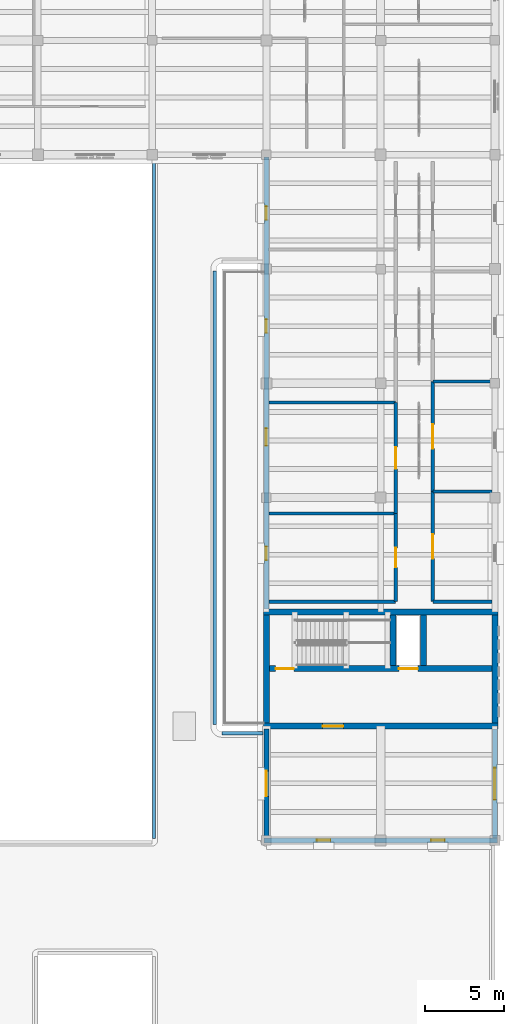
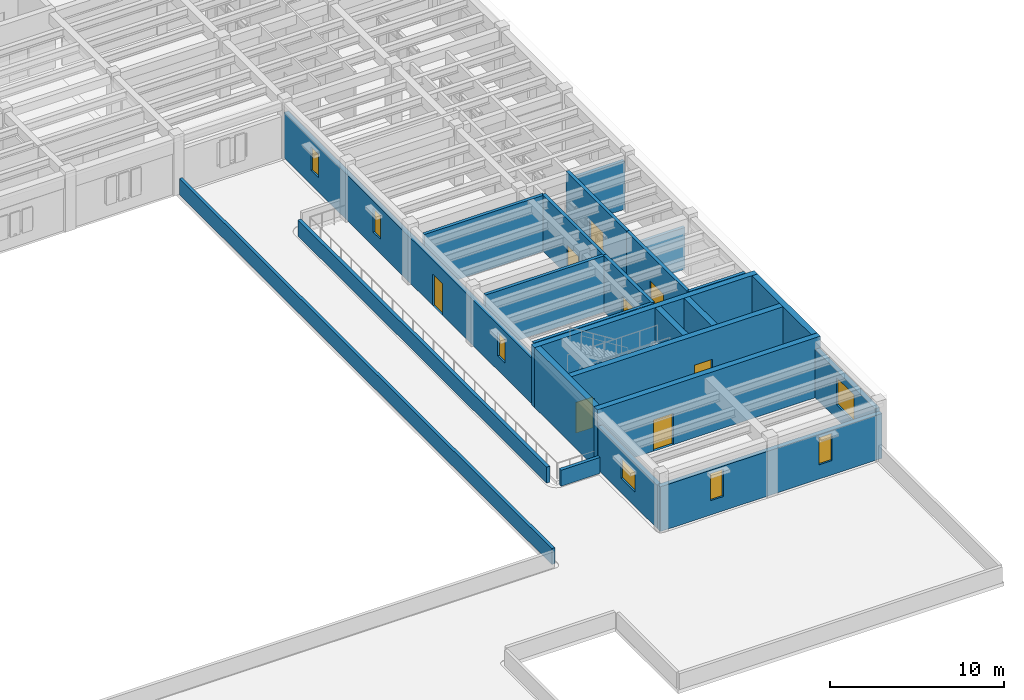
# One storey, part 27 of 40: 24 walls, 8 doors, 7 windows, 15 openings.
"""IFC4 building model written with IfcOpenShell, lengths in metres."""

from ifc_helpers import new_model, si_unit, direction, frame, frame_2d, origin, place, context, subcontext, project, spatial, rectangle, extrude, material, layer, layer_set, type_object, element, fill, save


model = new_model("IFC4")

# Units and contexts
model_context = context("Model", 3, precision=1e-05, world=origin(), true_north=direction((0.0, 1.0)))
body_context = subcontext(model_context, "Body", "Model", "MODEL_VIEW")
ifc_project = project(units=[si_unit("LENGTHUNIT", "METRE"), si_unit("AREAUNIT", "SQUARE_METRE"), si_unit("VOLUMEUNIT", "CUBIC_METRE"), si_unit("PLANEANGLEUNIT", "RADIAN"), si_unit("MASSUNIT", "GRAM", prefix="KILO")], contexts=[model_context])

# Site, building, storey
site_placement = place(None, origin())
site = spatial("IfcSite", under=ifc_project, at=site_placement, CompositionType="ELEMENT")
building_placement = place(site_placement, origin())
building = spatial("IfcBuilding", under=site, at=building_placement, Name="Mithqara Police Headquarters", CompositionType="ELEMENT")
storey_placement = place(building_placement, frame((0.0, 0.0, 13.800048828125)))
storey = spatial("IfcBuildingStorey", under=building, at=storey_placement, Name="L03", CompositionType="ELEMENT", Elevation=13.800048828125)

# Wall, openings, door, windows
ifc_material_1 = material(Name="Ochre masonry cavity wall, 35 MPa", Category="masonry")
ifc_layer_1 = layer(ifc_material_1, 0.300048828125, Name="Ochre masonry cavity wall, 35 MPa")
ifc_layer_set_1 = layer_set([ifc_layer_1], Name="Ochre masonry cavity wall, 35 MPa")
wall_type_1 = type_object("IfcWallType", Name="EXT WALL OCHRE BRICK300", PredefinedType="SOLIDWALL", material=ifc_layer_set_1)
wall_1_placement = place(storey_placement, frame((151.800048828125, 78.449951171875, 0.0), z_axis=(0.0, 0.0, 1.0), x_axis=(0.0, -1.0, 0.0)))
wall_1 = element("IfcWall", 1, at=wall_1_placement, inside=storey, type_object=wall_type_1, Name="L03 Exterior Wall 8.1", PredefinedType="SOLIDWALL", context=body_context, shape_type="SweptSolid", body=[
    extrude(rectangle(XDim=28.4599609375, YDim=0.300048828125, at=frame_2d((14.22998046875, 0.0))), origin(), (0.0, 0.0, 1.0), 3.18994140625),
])
opening_1_placement = place(wall_1_placement, frame((17.080078125, 0.0, 0.0)))
opening_1 = element("IfcOpeningElement", 2, at=opening_1_placement, cuts=wall_1, Name="Opening TD-01", PredefinedType="OPENING", context=body_context, shape_type="SweptSolid", body=[
    extrude(rectangle(XDim=1.10009765625, YDim=2.199951171875, at=frame_2d((0.550048828125, 1.10009765625))), frame((0.0, 0.16015625, 0.0), z_axis=(0.0, -1.0, 0.0), x_axis=(1.0, 0.0, 0.0)), (0.0, 0.0, 1.0), 0.320068359375),
])
opening_2_placement = place(wall_1_placement, frame((24.530029296875, 0.0, 1.0)))
opening_2 = element("IfcOpeningElement", 3, at=opening_2_placement, cuts=wall_1, Name="Opening W-02", PredefinedType="OPENING", context=body_context, shape_type="SweptSolid", body=[
    extrude(rectangle(XDim=0.85009765625, YDim=1.64990234375, at=frame_2d((0.425048828125, 0.824951171875))), frame((0.0, 0.16015625, 0.0), z_axis=(0.0, -1.0, 0.0), x_axis=(1.0, 0.0, 0.0)), (0.0, 0.0, 1.0), 0.320068359375),
])
opening_3_placement = place(wall_1_placement, frame((10.22509765625, 0.0, 1.0)))
opening_3 = element("IfcOpeningElement", 4, at=opening_3_placement, cuts=wall_1, Name="Opening W-02", PredefinedType="OPENING", context=body_context, shape_type="SweptSolid", body=[
    extrude(rectangle(XDim=0.85009765625, YDim=1.64990234375, at=frame_2d((0.425048828125, 0.824951171875))), frame((0.0, 0.16015625, 0.0), z_axis=(0.0, -1.0, 0.0), x_axis=(1.0, 0.0, 0.0)), (0.0, 0.0, 1.0), 0.320068359375),
])
opening_4_placement = place(wall_1_placement, frame((3.10009765625, 0.0, 1.0)))
opening_4 = element("IfcOpeningElement", 5, at=opening_4_placement, cuts=wall_1, Name="Opening W-02", PredefinedType="OPENING", context=body_context, shape_type="SweptSolid", body=[
    extrude(rectangle(XDim=0.85009765625, YDim=1.64990234375, at=frame_2d((0.425048828125, 0.824951171875))), frame((0.0, 0.16015625, 0.0), z_axis=(0.0, -1.0, 0.0), x_axis=(1.0, 0.0, 0.0)), (0.0, 0.0, 1.0), 0.320068359375),
])
ifc_material_2 = material(Name="Bronze anodised aluminium 6063-T6", Category="aluminium")
door_type_1 = type_object("IfcDoorType", Name="EXT DOOR TERRACE 1100X2200", OperationType="NOTDEFINED", PredefinedType="DOOR", material=ifc_material_2)
door_1_placement = place(opening_1_placement, frame((1.10009765625, 0.0, 0.0), z_axis=(0.0, 0.0, 1.0), x_axis=(-1.0, 0.0, 0.0)))
door_1 = element("IfcDoor", 6, at=door_1_placement, inside=storey, type_object=door_type_1, Name="L03 Terrace Access Door TER-L03-E", OperationType="SINGLE_SWING_LEFT", OverallHeight=2.199951171875, OverallWidth=1.10009765625, PredefinedType="DOOR", context=body_context, shape_type="SweptSolid", body=[
    extrude(rectangle(XDim=1.10009765625, YDim=2.199951171875, at=frame_2d((0.550048828125, 1.10009765625))), frame((0.0, 0.02490234375, 0.0), z_axis=(0.0, -1.0, 0.0), x_axis=(1.0, 0.0, 0.0)), (0.0, 0.0, 1.0), 0.050048828125),
])
fill(opening_1, door_1)
ifc_material_3 = material(Name="Spectrally selective double low-e glass", Category="glass")
window_type_1 = type_object("IfcWindowType", Name="WINDOW 850X1650", PartitioningType="SINGLE_PANEL", PredefinedType="WINDOW", material=ifc_material_3)
window_1_placement = place(opening_2_placement, origin())
window_1 = element("IfcWindow", 7, at=window_1_placement, inside=storey, type_object=window_type_1, Name="L03 Deep-Set Punched Window 8.1", OverallHeight=1.64990234375, OverallWidth=0.85009765625, PartitioningType="SINGLE_PANEL", PredefinedType="WINDOW", context=body_context, shape_type="SweptSolid", body=[
    extrude(rectangle(XDim=0.85009765625, YDim=1.64990234375, at=frame_2d((0.425048828125, 0.824951171875))), frame((0.0, 0.030029296875, 0.0), z_axis=(0.0, -1.0, 0.0), x_axis=(1.0, 0.0, 0.0)), (0.0, 0.0, 1.0), 0.06005859375),
])
fill(opening_2, window_1)
window_2_placement = place(opening_3_placement, origin())
window_2 = element("IfcWindow", 8, at=window_2_placement, inside=storey, type_object=window_type_1, Name="L03 Deep-Set Punched Window 8.3", OverallHeight=1.64990234375, OverallWidth=0.85009765625, PartitioningType="SINGLE_PANEL", PredefinedType="WINDOW", context=body_context, shape_type="SweptSolid", body=[
    extrude(rectangle(XDim=0.85009765625, YDim=1.64990234375, at=frame_2d((0.425048828125, 0.824951171875))), frame((0.0, 0.030029296875, 0.0), z_axis=(0.0, -1.0, 0.0), x_axis=(1.0, 0.0, 0.0)), (0.0, 0.0, 1.0), 0.06005859375),
])
fill(opening_3, window_2)
window_3_placement = place(opening_4_placement, origin())
window_3 = element("IfcWindow", 9, at=window_3_placement, inside=storey, type_object=window_type_1, Name="L03 Deep-Set Punched Window 8.4", OverallHeight=1.64990234375, OverallWidth=0.85009765625, PartitioningType="SINGLE_PANEL", PredefinedType="WINDOW", context=body_context, shape_type="SweptSolid", body=[
    extrude(rectangle(XDim=0.85009765625, YDim=1.64990234375, at=frame_2d((0.425048828125, 0.824951171875))), frame((0.0, 0.030029296875, 0.0), z_axis=(0.0, -1.0, 0.0), x_axis=(1.0, 0.0, 0.0)), (0.0, 0.0, 1.0), 0.06005859375),
])
fill(opening_4, window_3)

# Wall, opening, window
wall_2_placement = place(storey_placement, frame((151.800048828125, 42.409912109375, 0.0), z_axis=(0.0, 0.0, 1.0), x_axis=(0.0, -1.0, 0.0)))
wall_2 = element("IfcWall", 10, at=wall_2_placement, inside=storey, type_object=wall_type_1, Name="L03 Exterior Wall 8.2", PredefinedType="SOLIDWALL", context=body_context, shape_type="SweptSolid", body=[
    extrude(rectangle(XDim=6.85986328125, YDim=0.300048828125, at=frame_2d((3.429931640625, 0.0))), origin(), (0.0, 0.0, 1.0), 3.0400390625),
])
opening_5_placement = place(wall_2_placement, frame((2.6298828125, 0.0, 1.0)))
opening_5 = element("IfcOpeningElement", 11, at=opening_5_placement, cuts=wall_2, Name="Opening W-26", PredefinedType="OPENING", context=body_context, shape_type="SweptSolid", body=[
    extrude(rectangle(XDim=1.60009765625, YDim=1.39990234375, at=frame_2d((0.800048828125, 0.699951171875))), frame((0.0, 0.16015625, 0.0), z_axis=(0.0, -1.0, 0.0), x_axis=(1.0, 0.0, 0.0)), (0.0, 0.0, 1.0), 0.320068359375),
])
window_type_2 = type_object("IfcWindowType", Name="WINDOW 1600X1400", PartitioningType="SINGLE_PANEL", PredefinedType="WINDOW", material=ifc_material_3)
window_4_placement = place(opening_5_placement, origin())
window_4 = element("IfcWindow", 12, at=window_4_placement, inside=storey, type_object=window_type_2, Name="L03 Deep-Set Punched Window 8.1", OverallHeight=1.39990234375, OverallWidth=1.60009765625, PartitioningType="SINGLE_PANEL", PredefinedType="WINDOW", context=body_context, shape_type="SweptSolid", body=[
    extrude(rectangle(XDim=1.60009765625, YDim=1.39990234375, at=frame_2d((0.800048828125, 0.699951171875))), frame((0.0, 0.030029296875, 0.0), z_axis=(0.0, -1.0, 0.0), x_axis=(1.0, 0.0, 0.0)), (0.0, 0.0, 1.0), 0.06005859375),
])
fill(opening_5, window_4)

# Wall, openings, windows
wall_3_placement = place(storey_placement, frame((151.64990234375, 35.39990234375, 0.0), z_axis=(0.0, 0.0, 1.0), x_axis=(1.0, 0.0, 0.0)))
wall_3 = element("IfcWall", 13, at=wall_3_placement, inside=storey, type_object=wall_type_1, Name="L03 Exterior Wall 9.1", PredefinedType="SOLIDWALL", context=body_context, shape_type="SweptSolid", body=[
    extrude(rectangle(XDim=14.7001953125, YDim=0.300048828125, at=frame_2d((7.35009765625, 0.0))), origin(), (0.0, 0.0, 1.0), 3.139892578125),
])
opening_6_placement = place(wall_3_placement, frame((3.324951171875, 0.0, 1.0)))
opening_6 = element("IfcOpeningElement", 14, at=opening_6_placement, cuts=wall_3, Name="Opening W-03", PredefinedType="OPENING", context=body_context, shape_type="SweptSolid", body=[
    extrude(rectangle(XDim=0.85009765625, YDim=1.89990234375, at=frame_2d((0.425048828125, 0.949951171875))), frame((0.0, 0.16015625, 0.0), z_axis=(0.0, -1.0, 0.0), x_axis=(1.0, 0.0, 0.0)), (0.0, 0.0, 1.0), 0.320068359375),
])
opening_7_placement = place(wall_3_placement, frame((10.52490234375, 0.0, 1.0)))
opening_7 = element("IfcOpeningElement", 15, at=opening_7_placement, cuts=wall_3, Name="Opening W-03", PredefinedType="OPENING", context=body_context, shape_type="SweptSolid", body=[
    extrude(rectangle(XDim=0.85009765625, YDim=1.89990234375, at=frame_2d((0.425048828125, 0.949951171875))), frame((0.0, 0.16015625, 0.0), z_axis=(0.0, -1.0, 0.0), x_axis=(1.0, 0.0, 0.0)), (0.0, 0.0, 1.0), 0.320068359375),
])
window_type_3 = type_object("IfcWindowType", Name="WINDOW 850X1900", PartitioningType="SINGLE_PANEL", PredefinedType="WINDOW", material=ifc_material_3)
window_5_placement = place(opening_6_placement, origin())
window_5 = element("IfcWindow", 16, at=window_5_placement, inside=storey, type_object=window_type_3, Name="L03 Deep-Set Punched Window 9.1", OverallHeight=1.89990234375, OverallWidth=0.85009765625, PartitioningType="SINGLE_PANEL", PredefinedType="WINDOW", context=body_context, shape_type="SweptSolid", body=[
    extrude(rectangle(XDim=0.85009765625, YDim=1.89990234375, at=frame_2d((0.425048828125, 0.949951171875))), frame((0.0, 0.030029296875, 0.0), z_axis=(0.0, -1.0, 0.0), x_axis=(1.0, 0.0, 0.0)), (0.0, 0.0, 1.0), 0.06005859375),
])
fill(opening_6, window_5)
window_6_placement = place(opening_7_placement, origin())
window_6 = element("IfcWindow", 17, at=window_6_placement, inside=storey, type_object=window_type_3, Name="L03 Deep-Set Punched Window 9.2", OverallHeight=1.89990234375, OverallWidth=0.85009765625, PartitioningType="SINGLE_PANEL", PredefinedType="WINDOW", context=body_context, shape_type="SweptSolid", body=[
    extrude(rectangle(XDim=0.85009765625, YDim=1.89990234375, at=frame_2d((0.425048828125, 0.949951171875))), frame((0.0, 0.030029296875, 0.0), z_axis=(0.0, -1.0, 0.0), x_axis=(1.0, 0.0, 0.0)), (0.0, 0.0, 1.0), 0.06005859375),
])
fill(opening_7, window_6)

# Wall, opening, window
wall_4_placement = place(storey_placement, frame((166.199951171875, 35.550048828125, 0.0), z_axis=(0.0, 0.0, 1.0), x_axis=(0.0, 1.0, 0.0)))
wall_4 = element("IfcWall", 18, at=wall_4_placement, inside=storey, type_object=wall_type_1, Name="L03 Exterior Wall 10.1", PredefinedType="SOLIDWALL", context=body_context, shape_type="SweptSolid", body=[
    extrude(rectangle(XDim=6.85986328125, YDim=0.300048828125, at=frame_2d((3.429931640625, 0.0))), origin(), (0.0, 0.0, 1.0), 3.389892578125),
])
opening_8_placement = place(wall_4_placement, frame((2.429931640625, 0.0, 1.0)))
opening_8 = element("IfcOpeningElement", 19, at=opening_8_placement, cuts=wall_4, Name="Opening W-38", PredefinedType="OPENING", context=body_context, shape_type="SweptSolid", body=[
    extrude(rectangle(XDim=2.0, YDim=1.89990234375, at=frame_2d((1.0, 0.949951171875))), frame((0.0, 0.16015625, 0.0), z_axis=(0.0, -1.0, 0.0), x_axis=(1.0, 0.0, 0.0)), (0.0, 0.0, 1.0), 0.320068359375),
])
window_type_4 = type_object("IfcWindowType", Name="WINDOW 2000X1900", PartitioningType="DOUBLE_PANEL_VERTICAL", PredefinedType="WINDOW", material=ifc_material_3)
window_7_placement = place(opening_8_placement, origin())
window_7 = element("IfcWindow", 20, at=window_7_placement, inside=storey, type_object=window_type_4, Name="L03 Deep-Set Punched Window 10.1", OverallHeight=1.89990234375, OverallWidth=2.0, PartitioningType="SINGLE_PANEL", PredefinedType="WINDOW", context=body_context, shape_type="SweptSolid", body=[
    extrude(rectangle(XDim=2.0, YDim=1.89990234375, at=frame_2d((1.0, 0.949951171875))), frame((0.0, 0.030029296875, 0.0), z_axis=(0.0, -1.0, 0.0), x_axis=(1.0, 0.0, 0.0)), (0.0, 0.0, 1.0), 0.06005859375),
])
fill(opening_8, window_7)

# Walls
ifc_material_4 = material(Name="Limestone ashlar masonry, 45 MPa", Category="masonry")
ifc_layer_2 = layer(ifc_material_4, 0.199951171875, Name="Limestone ashlar masonry, 45 MPa")
ifc_layer_set_2 = layer_set([ifc_layer_2], Name="Limestone ashlar masonry, 45 MPa")
wall_type_2 = type_object("IfcWallType", Name="PARAPET WALL 200", PredefinedType="PARAPET", material=ifc_layer_set_2)
wall_5_placement = place(storey_placement, frame((144.7099609375, 35.510009765625, 0.0), z_axis=(0.0, 0.0, 1.0), x_axis=(0.0, 1.0, 0.0)))
element("IfcWall", 21, at=wall_5_placement, inside=storey, type_object=wall_type_2, Name="L03 Limestone Roof Parapet ROOF-L02-00-124", PredefinedType="PARAPET", context=body_context, shape_type="SweptSolid", body=[
    extrude(rectangle(XDim=42.760009765625, YDim=0.199951171875, at=frame_2d((21.3798828125, 0.0))), origin(), (0.0, 0.0, 1.0), 1.119873046875),
])
ifc_layer_3 = layer(ifc_material_4, 0.219970703125, Name="Limestone ashlar masonry, 45 MPa")
ifc_layer_set_3 = layer_set([ifc_layer_3], Name="Limestone ashlar masonry, 45 MPa")
wall_type_3 = type_object("IfcWallType", Name="PARAPET WALL 220", PredefinedType="PARAPET", material=ifc_layer_set_3)
wall_6_placement = place(storey_placement, frame((148.5400390625, 71.280029296875, 0.0), z_axis=(0.0, 0.0, 1.0), x_axis=(0.0, -1.0, 0.0)))
element("IfcWall", 22, at=wall_6_placement, inside=storey, type_object=wall_type_3, Name="L03 Limestone Roof Parapet ROOF-L02-00-191", PredefinedType="PARAPET", context=body_context, shape_type="SweptSolid", body=[
    extrude(rectangle(XDim=28.56005859375, YDim=0.219970703125, at=frame_2d((14.280029296875, 0.0))), origin(), (0.0, 0.0, 1.0), 1.119873046875),
])
wall_7_placement = place(storey_placement, frame((149.0, 42.139892578125, 0.0), z_axis=(0.0, 0.0, 1.0), x_axis=(1.0, 0.0, 0.0)))
element("IfcWall", 23, at=wall_7_placement, inside=storey, type_object=wall_type_3, Name="L03 Limestone Roof Parapet ROOF-L02-00-225", PredefinedType="PARAPET", context=body_context, shape_type="SweptSolid", body=[
    extrude(rectangle(XDim=2.580078125, YDim=0.219970703125, at=frame_2d((1.2900390625, 0.0))), origin(), (0.0, 0.0, 1.0), 1.119873046875),
])
ifc_material_5 = material(Name="Concrete C40/50", Category="concrete")
ifc_layer_4 = layer(ifc_material_5, 0.2099609375, Name="Concrete C40/50")
ifc_layer_set_4 = layer_set([ifc_layer_4], Name="Concrete C40/50")
wall_type_4 = type_object("IfcWallType", Name="PART WALL 210", PredefinedType="PARTITIONING", material=ifc_layer_set_4)
wall_8_placement = place(storey_placement, frame((151.97998046875, 50.449951171875, 0.0), z_axis=(0.0, 0.0, 1.0), x_axis=(1.0, 0.0, 0.0)))
element("IfcWall", 24, at=wall_8_placement, inside=storey, type_object=wall_type_4, Name="L03 Partition End Closure E0", PredefinedType="PARTITIONING", context=body_context, shape_type="SweptSolid", body=[
    extrude(rectangle(XDim=7.969970703125, YDim=0.2099609375, at=frame_2d((3.98486328125, 0.0))), origin(), (0.0, 0.0, 1.0), 3.93994140625),
])

# Wall, opening, door
wall_9_placement = place(storey_placement, frame((159.949951171875, 50.449951171875, 0.0), z_axis=(0.0, 0.0, 1.0), x_axis=(0.0, 1.0, 0.0)))
wall_9 = element("IfcWall", 25, at=wall_9_placement, inside=storey, type_object=wall_type_4, Name="L03 Corridor Wall Cybercrime Laboratory", PredefinedType="PARTITIONING", context=body_context, shape_type="SweptSolid", body=[
    extrude(rectangle(XDim=5.546142578125, YDim=0.2099609375, at=frame_2d((2.77294921875, 0.0))), origin(), (0.0, 0.0, 1.0), 3.93994140625),
])
opening_9_placement = place(wall_9_placement, frame((2.1630859375, 0.0, 0.0)))
opening_9 = element("IfcOpeningElement", 26, at=opening_9_placement, cuts=wall_9, Name="Opening D-15", PredefinedType="OPENING", context=body_context, shape_type="SweptSolid", body=[
    extrude(rectangle(XDim=1.219970703125, YDim=2.35009765625, at=frame_2d((0.60986328125, 1.175048828125))), frame((0.0, 0.114990234375, 0.0), z_axis=(0.0, -1.0, 0.0), x_axis=(1.0, 0.0, 0.0)), (0.0, 0.0, 1.0), 0.22998046875),
])
ifc_material_6 = material(Name="Acoustic solid-core timber leaf", Category="wood")
door_type_2 = type_object("IfcDoorType", Name="INT DOOR 1220X2350", OperationType="NOTDEFINED", PredefinedType="DOOR", material=ifc_material_6)
door_2_placement = place(opening_9_placement, frame((1.219970703125, 0.0, 0.0), z_axis=(0.0, 0.0, 1.0), x_axis=(-1.0, 0.0, 0.0)))
door_2 = element("IfcDoor", 27, at=door_2_placement, inside=storey, type_object=door_type_2, Name="Cybercrime Laboratory Entry Door", OperationType="SINGLE_SWING_RIGHT", OverallHeight=2.35009765625, OverallWidth=1.219970703125, PredefinedType="DOOR", context=body_context, shape_type="SweptSolid", body=[
    extrude(rectangle(XDim=1.219970703125, YDim=2.35009765625, at=frame_2d((0.60986328125, 1.175048828125))), frame((0.0, 0.02490234375, 0.0), z_axis=(0.0, -1.0, 0.0), x_axis=(1.0, 0.0, 0.0)), (0.0, 0.0, 1.0), 0.050048828125),
])
fill(opening_9, door_2)

# Wall
wall_10_placement = place(storey_placement, frame((151.97998046875, 55.99609375, 0.0), z_axis=(0.0, 0.0, 1.0), x_axis=(1.0, 0.0, 0.0)))
element("IfcWall", 28, at=wall_10_placement, inside=storey, type_object=wall_type_4, Name="L03 Room Partition Cybercrime Laboratory", PredefinedType="PARTITIONING", context=body_context, shape_type="SweptSolid", body=[
    extrude(rectangle(XDim=7.969970703125, YDim=0.2099609375, at=frame_2d((3.98486328125, 0.0))), origin(), (0.0, 0.0, 1.0), 3.93994140625),
])

# Wall, opening, door
wall_11_placement = place(storey_placement, frame((159.949951171875, 55.99609375, 0.0), z_axis=(0.0, 0.0, 1.0), x_axis=(0.0, 1.0, 0.0)))
wall_11 = element("IfcWall", 29, at=wall_11_placement, inside=storey, type_object=wall_type_4, Name="L03 Corridor Wall Digital Forensics Suite", PredefinedType="PARTITIONING", context=body_context, shape_type="SweptSolid", body=[
    extrude(rectangle(XDim=6.995849609375, YDim=0.2099609375, at=frame_2d((3.498046875, 0.0))), origin(), (0.0, 0.0, 1.0), 3.93994140625),
])
opening_10_placement = place(wall_11_placement, frame((2.818115234375, 0.0, 0.0)))
opening_10 = element("IfcOpeningElement", 30, at=opening_10_placement, cuts=wall_11, Name="Opening D-16", PredefinedType="OPENING", context=body_context, shape_type="SweptSolid", body=[
    extrude(rectangle(XDim=1.360107421875, YDim=2.10009765625, at=frame_2d((0.68017578125, 1.050048828125))), frame((0.0, 0.114990234375, 0.0), z_axis=(0.0, -1.0, 0.0), x_axis=(1.0, 0.0, 0.0)), (0.0, 0.0, 1.0), 0.22998046875),
])
door_type_3 = type_object("IfcDoorType", Name="INT DOOR 1360X2100", OperationType="NOTDEFINED", PredefinedType="DOOR", material=ifc_material_2)
door_3_placement = place(opening_10_placement, frame((1.360107421875, 0.0, 0.0), z_axis=(0.0, 0.0, 1.0), x_axis=(-1.0, 0.0, 0.0)))
door_3 = element("IfcDoor", 31, at=door_3_placement, inside=storey, type_object=door_type_3, Name="Digital Forensics Suite Entry Door", OperationType="SINGLE_SWING_LEFT", OverallHeight=2.10009765625, OverallWidth=1.360107421875, PredefinedType="DOOR", context=body_context, shape_type="SweptSolid", body=[
    extrude(rectangle(XDim=1.360107421875, YDim=2.10009765625, at=frame_2d((0.68017578125, 1.050048828125))), frame((0.0, 0.02490234375, 0.0), z_axis=(0.0, -1.0, 0.0), x_axis=(1.0, 0.0, 0.0)), (0.0, 0.0, 1.0), 0.050048828125),
])
fill(opening_10, door_3)

# Walls
wall_12_placement = place(storey_placement, frame((151.97998046875, 62.991943359375, 0.0), z_axis=(0.0, 0.0, 1.0), x_axis=(1.0, 0.0, 0.0)))
element("IfcWall", 32, at=wall_12_placement, inside=storey, type_object=wall_type_4, Name="L03 Room Partition Digital Forensics Suite", PredefinedType="PARTITIONING", context=body_context, shape_type="SweptSolid", body=[
    extrude(rectangle(XDim=7.969970703125, YDim=0.2099609375, at=frame_2d((3.98486328125, 0.0))), origin(), (0.0, 0.0, 1.0), 3.93994140625),
])
wall_13_placement = place(storey_placement, frame((162.2900390625, 50.449951171875, 0.0), z_axis=(0.0, 0.0, 1.0), x_axis=(1.0, 0.0, 0.0)))
element("IfcWall", 33, at=wall_13_placement, inside=storey, type_object=wall_type_4, Name="L03 Partition End Closure E0", PredefinedType="PARTITIONING", context=body_context, shape_type="SweptSolid", body=[
    extrude(rectangle(XDim=3.72998046875, YDim=0.2099609375, at=frame_2d((1.864990234375, 0.0))), origin(), (0.0, 0.0, 1.0), 3.93994140625),
])

# Wall, opening, door
wall_14_placement = place(storey_placement, frame((162.2900390625, 50.449951171875, 0.0), z_axis=(0.0, 0.0, 1.0), x_axis=(0.0, 1.0, 0.0)))
wall_14 = element("IfcWall", 34, at=wall_14_placement, inside=storey, type_object=wall_type_4, Name="L03 Corridor Wall Cybercrime Laboratory", PredefinedType="PARTITIONING", context=body_context, shape_type="SweptSolid", body=[
    extrude(rectangle(XDim=6.93310546875, YDim=0.2099609375, at=frame_2d((3.466552734375, 0.0))), origin(), (0.0, 0.0, 1.0), 3.93994140625),
])
opening_11_placement = place(wall_14_placement, frame((2.70654296875, 0.0, 0.0)))
opening_11 = element("IfcOpeningElement", 35, at=opening_11_placement, cuts=wall_14, Name="Opening D-19", PredefinedType="OPENING", context=body_context, shape_type="SweptSolid", body=[
    extrude(rectangle(XDim=1.52001953125, YDim=2.10009765625, at=frame_2d((0.760009765625, 1.050048828125))), frame((0.0, 0.114990234375, 0.0), z_axis=(0.0, -1.0, 0.0), x_axis=(1.0, 0.0, 0.0)), (0.0, 0.0, 1.0), 0.22998046875),
])
door_type_4 = type_object("IfcDoorType", Name="INT DOOR 1520X2100", OperationType="NOTDEFINED", PredefinedType="DOOR", material=ifc_material_2)
door_4_placement = place(opening_11_placement, origin())
door_4 = element("IfcDoor", 36, at=door_4_placement, inside=storey, type_object=door_type_4, Name="Cybercrime Laboratory Entry Door", OperationType="DOUBLE_DOOR_SINGLE_SWING", OverallHeight=2.10009765625, OverallWidth=1.52001953125, PredefinedType="DOOR", context=body_context, shape_type="SweptSolid", body=[
    extrude(rectangle(XDim=1.52001953125, YDim=2.10009765625, at=frame_2d((0.760009765625, 1.050048828125))), frame((0.0, 0.02490234375, 0.0), z_axis=(0.0, -1.0, 0.0), x_axis=(1.0, 0.0, 0.0)), (0.0, 0.0, 1.0), 0.050048828125),
])
fill(opening_11, door_4)

# Wall
wall_15_placement = place(storey_placement, frame((162.2900390625, 57.383056640625, 0.0), z_axis=(0.0, 0.0, 1.0), x_axis=(1.0, 0.0, 0.0)))
element("IfcWall", 37, at=wall_15_placement, inside=storey, type_object=wall_type_4, Name="L03 Room Partition Cybercrime Laboratory", PredefinedType="PARTITIONING", context=body_context, shape_type="SweptSolid", body=[
    extrude(rectangle(XDim=3.72998046875, YDim=0.2099609375, at=frame_2d((1.864990234375, 0.0))), origin(), (0.0, 0.0, 1.0), 2.93994140625),
])

# Wall, opening, door
wall_16_placement = place(storey_placement, frame((162.2900390625, 57.383056640625, 0.0), z_axis=(0.0, 0.0, 1.0), x_axis=(0.0, 1.0, 0.0)))
wall_16 = element("IfcWall", 38, at=wall_16_placement, inside=storey, type_object=wall_type_4, Name="L03 Corridor Wall Digital Forensics Suite", PredefinedType="PARTITIONING", context=body_context, shape_type="SweptSolid", body=[
    extrude(rectangle(XDim=6.931884765625, YDim=0.2099609375, at=frame_2d((3.4658203125, 0.0))), origin(), (0.0, 0.0, 1.0), 3.93994140625),
])
opening_12_placement = place(wall_16_placement, frame((2.7060546875, 0.0, 0.0)))
opening_12 = element("IfcOpeningElement", 39, at=opening_12_placement, cuts=wall_16, Name="Opening D-20", PredefinedType="OPENING", context=body_context, shape_type="SweptSolid", body=[
    extrude(rectangle(XDim=1.52001953125, YDim=2.219970703125, at=frame_2d((0.760009765625, 1.10986328125))), frame((0.0, 0.114990234375, 0.0), z_axis=(0.0, -1.0, 0.0), x_axis=(1.0, 0.0, 0.0)), (0.0, 0.0, 1.0), 0.22998046875),
])
door_type_5 = type_object("IfcDoorType", Name="INT DOOR 1520X2220", OperationType="NOTDEFINED", PredefinedType="DOOR", material=ifc_material_2)
door_5_placement = place(opening_12_placement, origin())
door_5 = element("IfcDoor", 40, at=door_5_placement, inside=storey, type_object=door_type_5, Name="Digital Forensics Suite Entry Door", OperationType="DOUBLE_DOOR_SINGLE_SWING", OverallHeight=2.219970703125, OverallWidth=1.52001953125, PredefinedType="DOOR", context=body_context, shape_type="SweptSolid", body=[
    extrude(rectangle(XDim=1.52001953125, YDim=2.219970703125, at=frame_2d((0.760009765625, 1.10986328125))), frame((0.0, 0.02490234375, 0.0), z_axis=(0.0, -1.0, 0.0), x_axis=(1.0, 0.0, 0.0)), (0.0, 0.0, 1.0), 0.050048828125),
])
fill(opening_12, door_5)

# Walls
wall_17_placement = place(storey_placement, frame((162.2900390625, 64.31494140625, 0.0), z_axis=(0.0, 0.0, 1.0), x_axis=(1.0, 0.0, 0.0)))
element("IfcWall", 41, at=wall_17_placement, inside=storey, type_object=wall_type_4, Name="L03 Room Partition Digital Forensics Suite", PredefinedType="PARTITIONING", context=body_context, shape_type="SweptSolid", body=[
    extrude(rectangle(XDim=3.72998046875, YDim=0.2099609375, at=frame_2d((1.864990234375, 0.0))), origin(), (0.0, 0.0, 1.0), 3.389892578125),
])
ifc_material_7 = material(Name="Concrete C50/60", Category="concrete")
ifc_layer_5 = layer(ifc_material_7, 0.3798828125, Name="Concrete C50/60")
ifc_layer_set_5 = layer_set([ifc_layer_5], Name="Concrete C50/60")
wall_type_5 = type_object("IfcWallType", Name="SHEAR WALL 380", PredefinedType="SHEAR", material=ifc_layer_set_5)
wall_18_placement = place(storey_placement, frame((151.610107421875, 49.800048828125, 0.0), z_axis=(0.0, 0.0, 1.0), x_axis=(1.0, 0.0, 0.0)))
element("IfcWall", 42, at=wall_18_placement, inside=storey, type_object=wall_type_5, Name="Core C4 Forensics East Shear Wall N", PredefinedType="SHEAR", context=body_context, shape_type="SweptSolid", body=[
    extrude(rectangle(XDim=14.77978515625, YDim=0.3798828125, at=frame_2d((7.389892578125, 0.0))), origin(), (0.0, 0.0, 1.0), 4.199951171875),
])

# Wall, opening, door
wall_19_placement = place(storey_placement, frame((151.610107421875, 42.60009765625, 0.0), z_axis=(0.0, 0.0, 1.0), x_axis=(1.0, 0.0, 0.0)))
wall_19 = element("IfcWall", 43, at=wall_19_placement, inside=storey, type_object=wall_type_5, Name="Core C4 Forensics East Shear Wall S", PredefinedType="SHEAR", context=body_context, shape_type="SweptSolid", body=[
    extrude(rectangle(XDim=14.77978515625, YDim=0.3798828125, at=frame_2d((7.389892578125, 0.0))), origin(), (0.0, 0.0, 1.0), 4.199951171875),
])
opening_13_placement = place(wall_19_placement, frame((3.739990234375, 0.0, 0.0)))
opening_13 = element("IfcOpeningElement", 44, at=opening_13_placement, cuts=wall_19, Name="Opening FD-02", PredefinedType="OPENING", context=body_context, shape_type="SweptSolid", body=[
    extrude(rectangle(XDim=1.300048828125, YDim=2.199951171875, at=frame_2d((0.64990234375, 1.10009765625))), frame((0.0, 0.199951171875, 0.0), z_axis=(0.0, -1.0, 0.0), x_axis=(1.0, 0.0, 0.0)), (0.0, 0.0, 1.0), 0.39990234375),
])
ifc_material_8 = material(Name="Steel S355JR", Category="steel")
door_type_6 = type_object("IfcDoorType", Name="CORE DOOR LOBBY 1300X2200", OperationType="NOTDEFINED", PredefinedType="DOOR", material=ifc_material_8)
door_6_placement = place(opening_13_placement, frame((1.300048828125, 0.0, 0.0), z_axis=(0.0, 0.0, 1.0), x_axis=(-1.0, 0.0, 0.0)))
door_6 = element("IfcDoor", 45, at=door_6_placement, inside=storey, type_object=door_type_6, Name="Core C4 Forensics East Lobby Fire Door L03", OperationType="SINGLE_SWING_RIGHT", OverallHeight=2.199951171875, OverallWidth=1.300048828125, PredefinedType="DOOR", context=body_context, shape_type="SweptSolid", body=[
    extrude(rectangle(XDim=1.300048828125, YDim=2.199951171875, at=frame_2d((0.64990234375, 1.10009765625))), frame((0.0, 0.02490234375, 0.0), z_axis=(0.0, -1.0, 0.0), x_axis=(1.0, 0.0, 0.0)), (0.0, 0.0, 1.0), 0.050048828125),
])
fill(opening_13, door_6)

# Walls
for number, where, z_axis, x_axis, name in (
    (46, (151.800048828125, 42.800048828125, 0.0), (0.0, 0.0, 1.0), (0.0, 1.0, 0.0), "Core C4 Forensics East Shear Wall W"),
    (47, (166.199951171875, 42.800048828125, 0.0), (0.0, 0.0, 1.0), (0.0, 1.0, 0.0), "Core C4 Forensics East Shear Wall E"),
):
    element("IfcWall", number, at=place(storey_placement, frame(where, z_axis=z_axis, x_axis=x_axis)), inside=storey, type_object=wall_type_5, Name=name, PredefinedType="SHEAR", context=body_context, shape_type="SweptSolid", body=[
        extrude(rectangle(XDim=6.800048828125, YDim=0.3798828125, at=frame_2d((3.39990234375, 0.0))), origin(), (0.0, 0.0, 1.0), 4.199951171875),
    ])

# Wall, openings, doors
wall_20_placement = place(storey_placement, frame((152.0, 46.219970703125, 0.0), z_axis=(0.0, 0.0, 1.0), x_axis=(1.0, 0.0, 0.0)))
wall_20 = element("IfcWall", 48, at=wall_20_placement, inside=storey, type_object=wall_type_5, Name="Core C4 Forensics East Shear Wall M", PredefinedType="SHEAR", context=body_context, shape_type="SweptSolid", body=[
    extrude(rectangle(XDim=14.0, YDim=0.3798828125, at=frame_2d((7.0, 0.0))), origin(), (0.0, 0.0, 1.0), 4.199951171875),
])
opening_14_placement = place(wall_20_placement, frame((8.139892578125, 0.0, 0.0)))
opening_14 = element("IfcOpeningElement", 49, at=opening_14_placement, cuts=wall_20, Name="Opening LD-02", PredefinedType="OPENING", context=body_context, shape_type="SweptSolid", body=[
    extrude(rectangle(XDim=1.199951171875, YDim=2.14990234375, at=frame_2d((0.60009765625, 1.074951171875))), frame((0.0, 0.199951171875, 0.0), z_axis=(0.0, -1.0, 0.0), x_axis=(1.0, 0.0, 0.0)), (0.0, 0.0, 1.0), 0.39990234375),
])
opening_15_placement = place(wall_20_placement, frame((0.375, 0.0, 0.0)))
opening_15 = element("IfcOpeningElement", 50, at=opening_15_placement, cuts=wall_20, Name="Opening FD-01", PredefinedType="OPENING", context=body_context, shape_type="SweptSolid", body=[
    extrude(rectangle(XDim=1.14990234375, YDim=2.14990234375, at=frame_2d((0.574951171875, 1.074951171875))), frame((0.0, 0.199951171875, 0.0), z_axis=(0.0, -1.0, 0.0), x_axis=(1.0, 0.0, 0.0)), (0.0, 0.0, 1.0), 0.39990234375),
])
door_type_7 = type_object("IfcDoorType", Name="CORE DOOR STAIR 1150X2150", OperationType="NOTDEFINED", PredefinedType="DOOR", material=ifc_material_8)
door_7_placement = place(opening_15_placement, origin())
door_7 = element("IfcDoor", 51, at=door_7_placement, inside=storey, type_object=door_type_7, Name="Stair ST-04 Fire Door L03", OperationType="SINGLE_SWING_LEFT", OverallHeight=2.14990234375, OverallWidth=1.14990234375, PredefinedType="DOOR", context=body_context, shape_type="SweptSolid", body=[
    extrude(rectangle(XDim=1.14990234375, YDim=2.14990234375, at=frame_2d((0.574951171875, 1.074951171875))), frame((0.0, 0.02490234375, 0.0), z_axis=(0.0, -1.0, 0.0), x_axis=(1.0, 0.0, 0.0)), (0.0, 0.0, 1.0), 0.050048828125),
])
fill(opening_15, door_7)
door_type_8 = type_object("IfcDoorType", Name="LIFT DOOR 1200X2150", OperationType="DOUBLE_DOOR_SLIDING", PredefinedType="DOOR", material=ifc_material_8)
door_8_placement = place(opening_14_placement, frame((1.199951171875, 0.0, 0.0), z_axis=(0.0, 0.0, 1.0), x_axis=(-1.0, 0.0, 0.0)))
door_8 = element("IfcDoor", 52, at=door_8_placement, inside=storey, type_object=door_type_8, Name="Lift Landing Door LP-06-L03", OperationType="DOUBLE_DOOR_SLIDING", OverallHeight=2.14990234375, OverallWidth=1.199951171875, PredefinedType="DOOR", context=body_context, shape_type="SweptSolid", body=[
    extrude(rectangle(XDim=1.199951171875, YDim=2.14990234375, at=frame_2d((0.60009765625, 1.074951171875))), frame((0.0, 0.02490234375, 0.0), z_axis=(0.0, -1.0, 0.0), x_axis=(1.0, 0.0, 0.0)), (0.0, 0.0, 1.0), 0.050048828125),
])
fill(opening_14, door_8)

# Walls
for number, where, z_axis, x_axis, name in (
    (53, (159.780029296875, 46.419921875, 0.0), (0.0, 0.0, 1.0), (0.0, 1.0, 0.0), "Core C4 Forensics East Shear Wall X"),
    (54, (161.699951171875, 46.419921875, 0.0), (0.0, 0.0, 1.0), (0.0, 1.0, 0.0), "Core C4 Forensics East Shear Wall L1"),
):
    element("IfcWall", number, at=place(storey_placement, frame(where, z_axis=z_axis, x_axis=x_axis)), inside=storey, type_object=wall_type_5, Name=name, PredefinedType="SHEAR", context=body_context, shape_type="SweptSolid", body=[
        extrude(rectangle(XDim=3.18017578125, YDim=0.3798828125, at=frame_2d((1.590087890625, 0.0))), origin(), (0.0, 0.0, 1.0), 4.199951171875),
    ])

save(model, "model.ifc")
